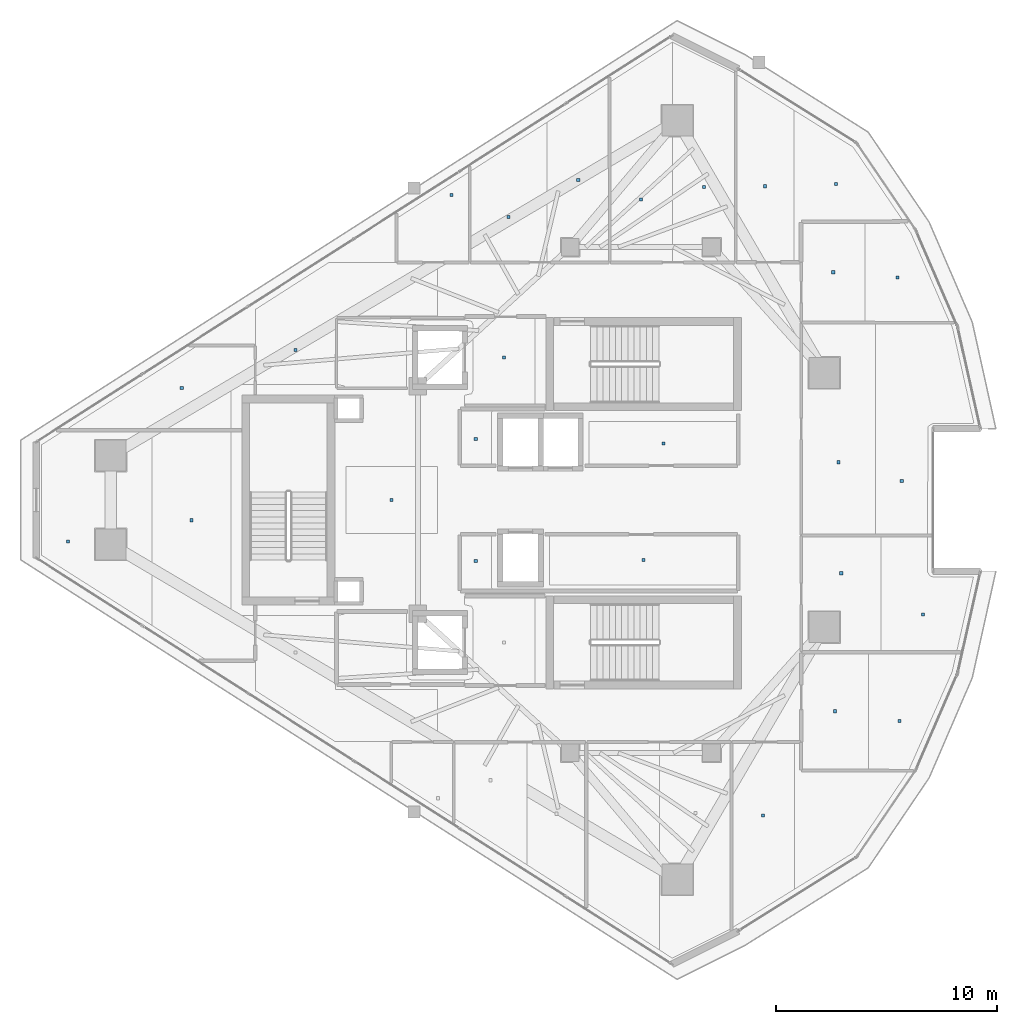
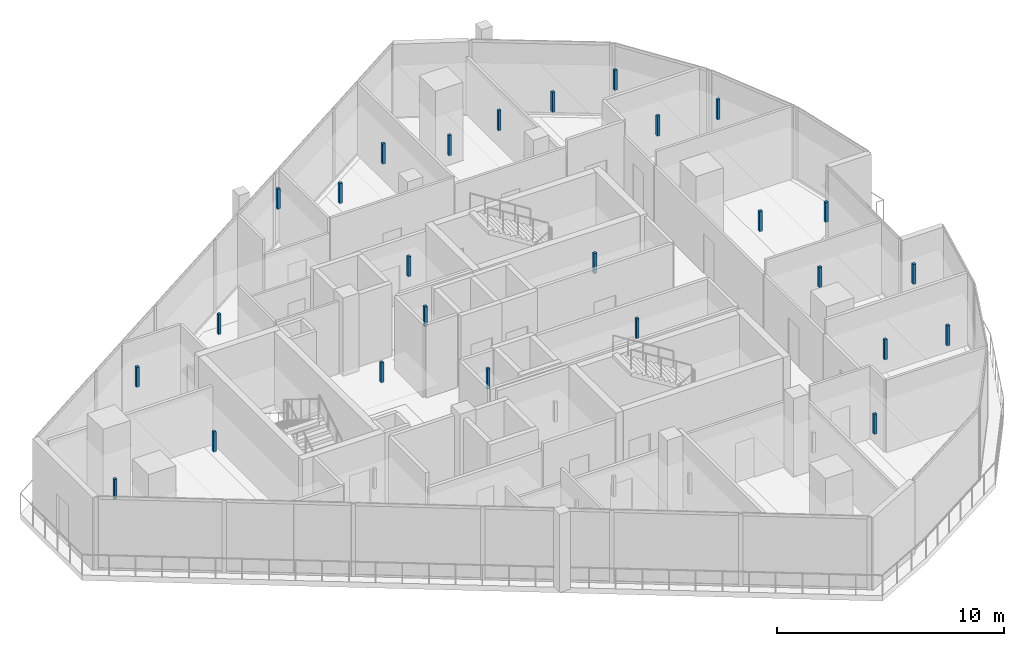
# One storey, part 19 of 24: 26 discrete accessories.
"""IFC4 building model written with IfcOpenShell, lengths in metres."""

from ifc_helpers import new_model, si_unit, direction, frame, origin, origin_2d, place, context, subcontext, project, spatial, rectangle, extrude, material, type_object, element, save


model = new_model("IFC4")

# Units and contexts
model_context = context("Model", 3, precision=1e-05, world=origin(), true_north=direction((0.0, 1.0)))
body_context = subcontext(model_context, "Body", "Model", "MODEL_VIEW")
ifc_project = project(units=[si_unit("LENGTHUNIT", "METRE"), si_unit("AREAUNIT", "SQUARE_METRE"), si_unit("VOLUMEUNIT", "CUBIC_METRE"), si_unit("PLANEANGLEUNIT", "RADIAN"), si_unit("MASSUNIT", "GRAM", prefix="KILO")], contexts=[model_context])

# Site, building, storey
site_placement = place(None, origin())
site = spatial("IfcSite", under=ifc_project, at=site_placement, CompositionType="ELEMENT")
building_placement = place(site_placement, origin())
building = spatial("IfcBuilding", under=site, at=building_placement, Name="Qorvath Tower", CompositionType="ELEMENT")
storey_placement = place(building_placement, frame((0.0, 0.0, 318.60009765625)))
storey = spatial("IfcBuildingStorey", under=building, at=storey_placement, Name="L74", CompositionType="ELEMENT", Elevation=318.60009765625)

# Discrete accessories
ifc_material = material(Name="Galvanised steel bracket", Category="steel")
discrete_accessory_type = type_object("IfcDiscreteAccessoryType", Name="DA-BRACKET", PredefinedType="BRACKET", material=ifc_material)
for number, where, z_axis, x_axis, name in (
    (1, (-26.590087890625, 6.449951171875, 2.85986328125), (0.0, 0.0, 1.0), (1.0, 0.0, 0.0), "Acoustic Ceiling Suspension Hanger T1-L74-001"),
    (2, (-19.37255859375, 2.5625, 2.85986328125), (0.0, 0.0, 1.0), (1.0, 0.0, 0.0), "Acoustic Ceiling Suspension Hanger T1-L74-003"),
    (3, (-27.87744140625, 2.762451171875, 2.85986328125), (0.0, 0.0, 1.0), (1.0, 0.0, 0.0), "Acoustic Ceiling Suspension Hanger T1-L74-004"),
    (4, (-20.2724609375, -2.70751953125, 2.85986328125), (0.0, 0.0, 1.0), (1.0, 0.0, 0.0), "Acoustic Ceiling Suspension Hanger T1-L74-005"),
    (5, (-27.87744140625, -2.762451171875, 2.85986328125), (0.0, 0.0, 1.0), (1.0, 0.0, 0.0), "Acoustic Ceiling Suspension Hanger T1-L74-006"),
    (6, (-36.040283203125, 6.782470703125, 2.85986328125), (0.0, 0.0, 1.0), (1.0, 0.0, 0.0), "Acoustic Ceiling Suspension Hanger T1-L74-009"),
    (7, (-31.6875, 0.0, 2.85986328125), (0.0, 0.0, 1.0), (1.0, 0.0, 0.0), "Acoustic Ceiling Suspension Hanger T1-L74-011"),
    (8, (-28.978271484375, 13.807373046875, 2.85986328125), (0.0, 0.0, 1.0), (1.0, 0.0, 0.0), "Acoustic Ceiling Suspension Hanger T1-L74-012"),
    (9, (-26.39306640625, 12.81884765625, 2.85986328125), (0.0, 0.0, 1.0), (1.0, 0.0, 0.0), "Acoustic Ceiling Suspension Hanger T1-L74-013"),
    (10, (-23.2353515625, 14.495849609375, 2.85986328125), (0.0, 0.0, 1.0), (1.0, 0.0, 0.0), "Acoustic Ceiling Suspension Hanger T1-L74-014"),
    (11, (-20.386962890625, 13.59814453125, 2.85986328125), (0.0, 0.0, 1.0), (1.0, 0.0, 0.0), "Acoustic Ceiling Suspension Hanger T1-L74-015"),
    (12, (-17.54248046875, 14.162841796875, 2.85986328125), (0.0, 0.0, 1.0), (1.0, 0.0, 0.0), "Acoustic Ceiling Suspension Hanger T1-L74-016"),
    (13, (-14.7822265625, 14.205078125, 2.85986328125), (0.0, 0.0, 1.0), (1.0, 0.0, 0.0), "Acoustic Ceiling Suspension Hanger T1-L74-017"),
    (14, (-11.56201171875, 14.29833984375, 2.85986328125), (0.0, 0.0, 1.0), (1.0, 0.0, 0.0), "Acoustic Ceiling Suspension Hanger T1-L74-018"),
    (15, (-14.866455078125, -14.29345703125, 2.85986328125), (0.0, 0.0, 1.0), (1.0, 0.0, 0.0), "Acoustic Ceiling Suspension Hanger T1-L74-024"),
    (16, (-11.612548828125, -9.56494140625, 2.85986328125), (0.0, 0.0, 1.0), (1.0, 0.0, 0.0), "Acoustic Ceiling Suspension Hanger T1-L74-026"),
    (17, (-8.689697265625, -10.01025390625, 2.85986328125), (0.0, 0.0, 1.0), (1.0, 0.0, 0.0), "Acoustic Ceiling Suspension Hanger T1-L74-027"),
    (18, (-11.32861328125, -3.31494140625, 2.85986328125), (0.0, 0.0, 1.0), (1.0, 0.0, 0.0), "Acoustic Ceiling Suspension Hanger T1-L74-028"),
    (19, (-7.62109375, -5.178466796875, 2.85986328125), (0.0, 0.0, 1.0), (1.0, 0.0, 0.0), "Acoustic Ceiling Suspension Hanger T1-L74-029"),
    (20, (-11.451171875, 1.709716796875, 2.85986328125), (0.0, 0.0, 1.0), (1.0, 0.0, 0.0), "Acoustic Ceiling Suspension Hanger T1-L74-030"),
    (21, (-8.588134765625, 0.86865234375, 2.85986328125), (0.0, 0.0, 1.0), (1.0, 0.0, 0.0), "Acoustic Ceiling Suspension Hanger T1-L74-031"),
    (22, (-11.6904296875, 10.312744140625, 2.85986328125), (0.0, 0.0, 1.0), (1.0, 0.0, 0.0), "Acoustic Ceiling Suspension Hanger T1-L74-032"),
    (23, (-8.772216796875, 10.071533203125, 2.85986328125), (0.0, 0.0, 1.0), (1.0, 0.0, 0.0), "Acoustic Ceiling Suspension Hanger T1-L74-033"),
    (24, (-46.336669921875, -1.883544921875, 2.85986328125), (0.0, 0.0, 1.0), (1.0, 0.0, 0.0), "Acoustic Ceiling Suspension Hanger T1-L74-034"),
    (25, (-40.73779296875, -0.918701171875, 2.85986328125), (0.0, 0.0, 1.0), (1.0, 0.0, 0.0), "Acoustic Ceiling Suspension Hanger T1-L74-035"),
    (26, (-41.1875, 5.078369140625, 2.85986328125), (0.0, 0.0, 1.0), (1.0, 0.0, 0.0), "Acoustic Ceiling Suspension Hanger T1-L74-036"),
):
    element("IfcDiscreteAccessory", number, at=place(storey_placement, frame(where, z_axis=z_axis, x_axis=x_axis)), inside=storey, type_object=discrete_accessory_type, Name=name, PredefinedType="NOTDEFINED", context=body_context, shape_type="SweptSolid", body=[
        extrude(rectangle(XDim=0.139892578125, YDim=0.139892578125, at=origin_2d()), origin(), (0.0, 0.0, 1.0), 1.080078125),
    ])

save(model, "model.ifc")
